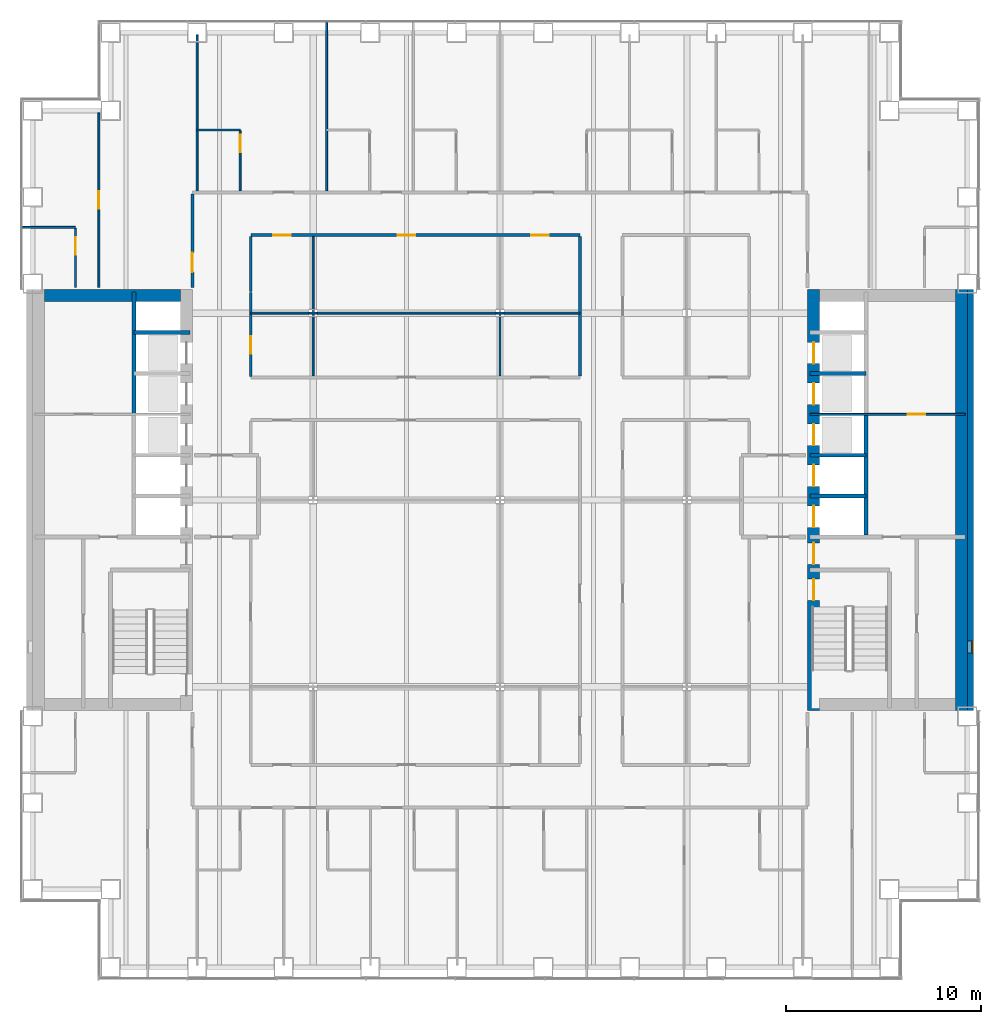
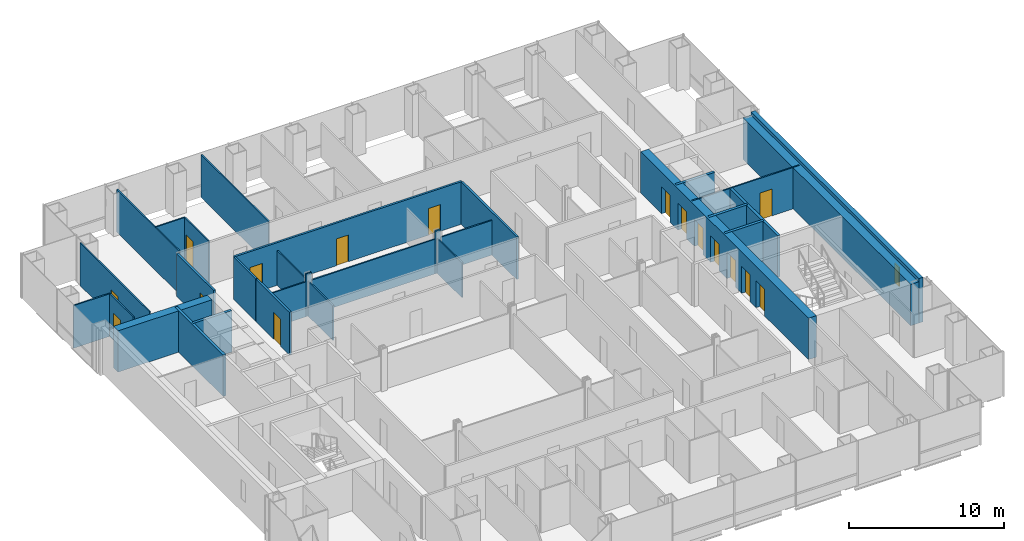
# One storey, part 19 of 23: 31 walls, 16 doors, 1 window, 17 openings.
"""IFC4 building model written with IfcOpenShell, lengths in metres."""

from ifc_helpers import new_model, si_unit, direction, frame, frame_2d, origin, place, context, subcontext, project, spatial, rectangle, extrude, material, layer, layer_set, type_object, element, fill, save


model = new_model("IFC4")

# Units and contexts
model_context = context("Model", 3, precision=1e-05, world=origin(), true_north=direction((0.0, 1.0)))
body_context = subcontext(model_context, "Body", "Model", "MODEL_VIEW")
ifc_project = project(units=[si_unit("LENGTHUNIT", "METRE"), si_unit("AREAUNIT", "SQUARE_METRE"), si_unit("VOLUMEUNIT", "CUBIC_METRE"), si_unit("PLANEANGLEUNIT", "RADIAN"), si_unit("MASSUNIT", "GRAM", prefix="KILO")], contexts=[model_context])

# Site, building, storey
site_placement = place(None, origin())
site = spatial("IfcSite", under=ifc_project, at=site_placement, CompositionType="ELEMENT")
building_placement = place(site_placement, origin())
building = spatial("IfcBuilding", under=site, at=building_placement, Name="Cobrizo Arcos Hotel Tower", CompositionType="ELEMENT")
storey_placement = place(building_placement, frame((0.0, 0.0, 49.5)))
storey = spatial("IfcBuildingStorey", under=building, at=storey_placement, Name="L10", CompositionType="ELEMENT", Elevation=49.5)

# Wall, openings, doors
ifc_material_1 = material(Name="Gypsum board partition")
ifc_layer_1 = layer(ifc_material_1, 0.14990234375)
ifc_layer_set_1 = layer_set([ifc_layer_1], Name="Corridor wall EI 60 150")
wall_type_1 = type_object("IfcWallType", Name="Corridor wall EI 60 150", PredefinedType="PARTITIONING", material=ifc_layer_set_1)
wall_1_placement = place(storey_placement, frame((-12.800048828125, 13.60009765625, 0.0), z_axis=(0.0, 0.0, 1.0), x_axis=(1.0, 0.0, 0.0)))
wall_1 = element("IfcWall", 1, at=wall_1_placement, inside=storey, type_object=wall_type_1, Name="Partition 054", PredefinedType="PARTITIONING", context=body_context, shape_type="SweptSolid", body=[
    extrude(rectangle(XDim=16.900146484375, YDim=0.14990234375, at=frame_2d((8.4501953125, 0.0))), origin(), (0.0, 0.0, 1.0), 3.35009765625),
])
opening_1_placement = place(wall_1_placement, frame((1.14990234375, 0.0, 0.0)))
opening_1 = element("IfcOpeningElement", 2, at=opening_1_placement, cuts=wall_1, Name="Opening RD-17", PredefinedType="OPENING", context=body_context, shape_type="SweptSolid", body=[
    extrude(rectangle(XDim=0.89990234375, YDim=2.10009765625, at=frame_2d((0.449951171875, 1.050048828125))), frame((0.0, 0.0869140625, 0.0), z_axis=(0.0, -1.0, 0.0), x_axis=(1.0, 0.0, 0.0)), (0.0, 0.0, 1.0), 0.173828125),
])
opening_2_placement = place(wall_1_placement, frame((14.39990234375, 0.0, 0.0)))
opening_2 = element("IfcOpeningElement", 3, at=opening_2_placement, cuts=wall_1, Name="Opening RD-21", PredefinedType="OPENING", context=body_context, shape_type="SweptSolid", body=[
    extrude(rectangle(XDim=0.89990234375, YDim=2.10009765625, at=frame_2d((0.449951171875, 1.050048828125))), frame((0.0, 0.0869140625, 0.0), z_axis=(0.0, -1.0, 0.0), x_axis=(1.0, 0.0, 0.0)), (0.0, 0.0, 1.0), 0.173828125),
])
opening_3_placement = place(wall_1_placement, frame((7.550048828125, 0.0, 0.0)))
opening_3 = element("IfcOpeningElement", 4, at=opening_3_placement, cuts=wall_1, Name="Opening RD-29", PredefinedType="OPENING", context=body_context, shape_type="SweptSolid", body=[
    extrude(rectangle(XDim=0.89990234375, YDim=2.10009765625, at=frame_2d((0.449951171875, 1.050048828125))), frame((0.0, 0.0869140625, 0.0), z_axis=(0.0, -1.0, 0.0), x_axis=(1.0, 0.0, 0.0)), (0.0, 0.0, 1.0), 0.173828125),
])
ifc_material_2 = material(Name="Timber door leaf", Category="wood")
door_type_1 = type_object("IfcDoorType", Name="Room door FD30 900x2100", OperationType="SINGLE_SWING_LEFT", PredefinedType="DOOR", material=ifc_material_2)
door_1_placement = place(opening_1_placement, origin())
door_1 = element("IfcDoor", 5, at=door_1_placement, inside=storey, type_object=door_type_1, Name="Door RD-17", OperationType="SINGLE_SWING_RIGHT", OverallHeight=2.10009765625, OverallWidth=0.89990234375, PredefinedType="DOOR", context=body_context, shape_type="SweptSolid", body=[
    extrude(rectangle(XDim=0.89990234375, YDim=2.10009765625, at=frame_2d((0.449951171875, 1.050048828125))), frame((0.0, 0.02490234375, 0.0), z_axis=(0.0, -1.0, 0.0), x_axis=(1.0, 0.0, 0.0)), (0.0, 0.0, 1.0), 0.050048828125),
])
fill(opening_1, door_1)
door_2_placement = place(opening_2_placement, origin())
door_2 = element("IfcDoor", 6, at=door_2_placement, inside=storey, type_object=door_type_1, Name="Door RD-21", OperationType="SINGLE_SWING_RIGHT", OverallHeight=2.10009765625, OverallWidth=0.89990234375, PredefinedType="DOOR", context=body_context, shape_type="SweptSolid", body=[
    extrude(rectangle(XDim=0.89990234375, YDim=2.10009765625, at=frame_2d((0.449951171875, 1.050048828125))), frame((0.0, 0.02490234375, 0.0), z_axis=(0.0, -1.0, 0.0), x_axis=(1.0, 0.0, 0.0)), (0.0, 0.0, 1.0), 0.050048828125),
])
fill(opening_2, door_2)
door_3_placement = place(opening_3_placement, origin())
door_3 = element("IfcDoor", 7, at=door_3_placement, inside=storey, type_object=door_type_1, Name="Door RD-29", OperationType="SINGLE_SWING_RIGHT", OverallHeight=2.10009765625, OverallWidth=0.89990234375, PredefinedType="DOOR", context=body_context, shape_type="SweptSolid", body=[
    extrude(rectangle(XDim=0.89990234375, YDim=2.10009765625, at=frame_2d((0.449951171875, 1.050048828125))), frame((0.0, 0.02490234375, 0.0), z_axis=(0.0, -1.0, 0.0), x_axis=(1.0, 0.0, 0.0)), (0.0, 0.0, 1.0), 0.050048828125),
])
fill(opening_3, door_3)

# Wall, opening, door
wall_2_placement = place(storey_placement, frame((-15.800048828125, 10.919921875, 0.0), z_axis=(0.0, 0.0, 1.0), x_axis=(0.0, 1.0, 0.0)))
wall_2 = element("IfcWall", 8, at=wall_2_placement, inside=storey, type_object=wall_type_1, Name="Partition 073", PredefinedType="PARTITIONING", context=body_context, shape_type="SweptSolid", body=[
    extrude(rectangle(XDim=4.80517578125, YDim=0.14990234375, at=frame_2d((2.402587890625, 0.0))), origin(), (0.0, 0.0, 1.0), 3.35009765625),
])
opening_4_placement = place(wall_2_placement, frame((0.780029296875, 0.0, 0.0)))
opening_4 = element("IfcOpeningElement", 9, at=opening_4_placement, cuts=wall_2, Name="Opening GD-13", PredefinedType="OPENING", context=body_context, shape_type="SweptSolid", body=[
    extrude(rectangle(XDim=1.0, YDim=2.10009765625, at=frame_2d((0.5, 1.050048828125))), frame((0.0, 0.0869140625, 0.0), z_axis=(0.0, -1.0, 0.0), x_axis=(1.0, 0.0, 0.0)), (0.0, 0.0, 1.0), 0.173828125),
])
door_type_2 = type_object("IfcDoorType", Name="Guest room door FD30S 1000x2100", OperationType="SINGLE_SWING_LEFT", PredefinedType="DOOR", material=ifc_material_2)
door_4_placement = place(opening_4_placement, origin())
door_4 = element("IfcDoor", 10, at=door_4_placement, inside=storey, type_object=door_type_2, Name="Door GD-13", OperationType="SINGLE_SWING_LEFT", OverallHeight=2.10009765625, OverallWidth=1.0, PredefinedType="DOOR", context=body_context, shape_type="SweptSolid", body=[
    extrude(rectangle(XDim=1.0, YDim=2.10009765625, at=frame_2d((0.5, 1.050048828125))), frame((0.0, 0.02490234375, 0.0), z_axis=(0.0, -1.0, 0.0), x_axis=(1.0, 0.0, 0.0)), (0.0, 0.0, 1.0), 0.050048828125),
])
fill(opening_4, door_4)

wall_3_placement = place(storey_placement, frame((-12.800048828125, 6.35009765625, 0.0), z_axis=(0.0, 0.0, 1.0), x_axis=(0.0, 1.0, 0.0)))
wall_3 = element("IfcWall", 11, at=wall_3_placement, inside=storey, type_object=wall_type_1, Name="Partition 080", PredefinedType="PARTITIONING", context=body_context, shape_type="SweptSolid", body=[
    extrude(rectangle(XDim=4.2998046875, YDim=0.14990234375, at=frame_2d((2.14990234375, 0.0))), origin(), (0.0, 0.0, 1.0), 3.35009765625),
])
opening_5_placement = place(wall_3_placement, frame((1.14990234375, 0.0, 0.0)))
opening_5 = element("IfcOpeningElement", 12, at=opening_5_placement, cuts=wall_3, Name="Opening RD-12", PredefinedType="OPENING", context=body_context, shape_type="SweptSolid", body=[
    extrude(rectangle(XDim=0.89990234375, YDim=2.10009765625, at=frame_2d((0.449951171875, 1.050048828125))), frame((0.0, 0.0869140625, 0.0), z_axis=(0.0, -1.0, 0.0), x_axis=(1.0, 0.0, 0.0)), (0.0, 0.0, 1.0), 0.173828125),
])
door_5_placement = place(opening_5_placement, origin())
door_5 = element("IfcDoor", 13, at=door_5_placement, inside=storey, type_object=door_type_1, Name="Door RD-12", OperationType="SINGLE_SWING_RIGHT", OverallHeight=2.10009765625, OverallWidth=0.89990234375, PredefinedType="DOOR", context=body_context, shape_type="SweptSolid", body=[
    extrude(rectangle(XDim=0.89990234375, YDim=2.10009765625, at=frame_2d((0.449951171875, 1.050048828125))), frame((0.0, 0.02490234375, 0.0), z_axis=(0.0, -1.0, 0.0), x_axis=(1.0, 0.0, 0.0)), (0.0, 0.0, 1.0), 0.050048828125),
])
fill(opening_5, door_5)

# Walls
wall_4_placement = place(storey_placement, frame((-12.800048828125, 10.699951171875, 0.0), z_axis=(0.0, 0.0, 1.0), x_axis=(0.0, 1.0, 0.0)))
element("IfcWall", 14, at=wall_4_placement, inside=storey, type_object=wall_type_1, Name="Partition 081", PredefinedType="PARTITIONING", context=body_context, shape_type="SweptSolid", body=[
    extrude(rectangle(XDim=2.824951171875, YDim=0.14990234375, at=frame_2d((1.41259765625, 0.0))), origin(), (0.0, 0.0, 1.0), 3.35009765625),
])
wall_5_placement = place(storey_placement, frame((4.10009765625, 6.375, 0.0), z_axis=(0.0, 0.0, 1.0), x_axis=(0.0, 1.0, 0.0)))
element("IfcWall", 15, at=wall_5_placement, inside=storey, type_object=wall_type_1, Name="Partition 105", PredefinedType="PARTITIONING", context=body_context, shape_type="SweptSolid", body=[
    extrude(rectangle(XDim=7.14990234375, YDim=0.14990234375, at=frame_2d((3.574951171875, 0.0))), origin(), (0.0, 0.0, 1.0), 3.35009765625),
])

# Wall, opening, window
ifc_material_3 = material(Name="Aluminium composite panel pale metal", Category="aluminium")
ifc_layer_2 = layer(ifc_material_3, 0.324951171875)
ifc_layer_set_2 = layer_set([ifc_layer_2], Name="EW-1 insulated panel wall 325")
wall_type_2 = type_object("IfcWallType", Name="EW-1 insulated panel wall 325", PredefinedType="SOLIDWALL", material=ifc_layer_set_2)
wall_6_placement = place(storey_placement, frame((24.16259765625, -10.800048828125, 0.0), z_axis=(0.0, 0.0, 1.0), x_axis=(0.0, 1.0, 0.0)))
wall_6 = element("IfcWall", 16, at=wall_6_placement, inside=storey, type_object=wall_type_2, Name="Core face wall L10 E", PredefinedType="SOLIDWALL", context=body_context, shape_type="SweptSolid", body=[
    extrude(rectangle(XDim=21.60009765625, YDim=0.324951171875, at=frame_2d((10.800048828125, 0.0))), origin(), (0.0, 0.0, 1.0), 3.5),
])
opening_6_placement = place(wall_6_placement, frame((2.949951171875, 0.0, 1.0)))
opening_6 = element("IfcOpeningElement", 17, at=opening_6_placement, cuts=wall_6, Name="Opening W-15", PredefinedType="OPENING", context=body_context, shape_type="SweptSolid", body=[
    extrude(rectangle(XDim=0.60009765625, YDim=1.5, at=frame_2d((0.300048828125, 0.75))), frame((0.0, 0.174560546875, 0.0), z_axis=(0.0, -1.0, 0.0), x_axis=(1.0, 0.0, 0.0)), (0.0, 0.0, 1.0), 0.348876953125),
])
ifc_material_4 = material(Name="Aluminium 6063-T6 and clear laminated glass", Category="aluminium")
window_type = type_object("IfcWindowType", Name="W-C1 core stair slot window 600x1500", PartitioningType="SINGLE_PANEL", PredefinedType="WINDOW", material=ifc_material_4)
window_placement = place(opening_6_placement, origin())
window = element("IfcWindow", 18, at=window_placement, inside=storey, type_object=window_type, Name="Core face wall L10 E window W-15", OverallHeight=1.5, OverallWidth=0.60009765625, PartitioningType="SINGLE_PANEL", PredefinedType="WINDOW", context=body_context, shape_type="SweptSolid", body=[
    extrude(rectangle(XDim=0.60009765625, YDim=1.5, at=frame_2d((0.300048828125, 0.75))), frame((0.0, -0.072509765625, 0.0), z_axis=(0.0, -1.0, 0.0), x_axis=(1.0, 0.0, 0.0)), (0.0, 0.0, 1.0), 0.06005859375),
])
fill(opening_6, window)

# Wall, opening, door
ifc_layer_3 = layer(ifc_material_1, 0.10009765625)
ifc_layer_set_3 = layer_set([ifc_layer_3], Name="Partition EI 30 100")
wall_type_3 = type_object("IfcWallType", Name="Partition EI 30 100", PredefinedType="PARTITIONING", material=ifc_layer_set_3)
wall_7_placement = place(storey_placement, frame((15.919921875, 4.39990234375, 0.0), z_axis=(0.0, 0.0, 1.0), x_axis=(1.0, 0.0, 0.0)))
wall_7 = element("IfcWall", 19, at=wall_7_placement, inside=storey, type_object=wall_type_3, Name="Partition 042", PredefinedType="PARTITIONING", context=body_context, shape_type="SweptSolid", body=[
    extrude(rectangle(XDim=7.9599609375, YDim=0.10009765625, at=frame_2d((3.97998046875, 0.0))), origin(), (0.0, 0.0, 1.0), 3.25),
])
opening_7_placement = place(wall_7_placement, frame((5.030029296875, 0.0, 0.0)))
opening_7 = element("IfcOpeningElement", 20, at=opening_7_placement, cuts=wall_7, Name="Opening RD-06", PredefinedType="OPENING", context=body_context, shape_type="SweptSolid", body=[
    extrude(rectangle(XDim=0.89990234375, YDim=2.10009765625, at=frame_2d((0.449951171875, 1.050048828125))), frame((0.0, 0.06201171875, 0.0), z_axis=(0.0, -1.0, 0.0), x_axis=(1.0, 0.0, 0.0)), (0.0, 0.0, 1.0), 0.1240234375),
])
door_6_placement = place(opening_7_placement, origin())
door_6 = element("IfcDoor", 21, at=door_6_placement, inside=storey, type_object=door_type_1, Name="Door RD-06", OperationType="SINGLE_SWING_RIGHT", OverallHeight=2.10009765625, OverallWidth=0.89990234375, PredefinedType="DOOR", context=body_context, shape_type="SweptSolid", body=[
    extrude(rectangle(XDim=0.89990234375, YDim=2.10009765625, at=frame_2d((0.449951171875, 1.050048828125))), frame((0.0, 0.02490234375, 0.0), z_axis=(0.0, -1.0, 0.0), x_axis=(1.0, 0.0, 0.0)), (0.0, 0.0, 1.0), 0.050048828125),
])
fill(opening_7, door_6)

# Walls
wall_8_placement = place(storey_placement, frame((-12.800048828125, 9.60009765625, 0.0), z_axis=(0.0, 0.0, 1.0), x_axis=(1.0, 0.0, 0.0)))
element("IfcWall", 22, at=wall_8_placement, inside=storey, type_object=wall_type_3, Name="Partition 049", PredefinedType="PARTITIONING", context=body_context, shape_type="SweptSolid", body=[
    extrude(rectangle(XDim=2.99609375, YDim=0.10009765625, at=frame_2d((1.498046875, 0.0))), origin(), (0.0, 0.0, 1.0), 2.72802734375),
])
wall_9_placement = place(storey_placement, frame((-9.803955078125, 9.60009765625, 0.0), z_axis=(0.0, 0.0, 1.0), x_axis=(1.0, 0.0, 0.0)))
element("IfcWall", 23, at=wall_9_placement, inside=storey, type_object=wall_type_3, Name="Partition 050", PredefinedType="PARTITIONING", context=body_context, shape_type="SweptSolid", body=[
    extrude(rectangle(XDim=0.407958984375, YDim=0.10009765625, at=frame_2d((0.2041015625, 0.0))), origin(), (0.0, 0.0, 1.0), 3.35009765625),
])
wall_10_placement = place(storey_placement, frame((-9.39599609375, 9.60009765625, 0.0), z_axis=(0.0, 0.0, 1.0), x_axis=(1.0, 0.0, 0.0)))
element("IfcWall", 24, at=wall_10_placement, inside=storey, type_object=wall_type_3, Name="Partition 051", PredefinedType="PARTITIONING", context=body_context, shape_type="SweptSolid", body=[
    extrude(rectangle(XDim=9.19189453125, YDim=0.10009765625, at=frame_2d((4.595947265625, 0.0))), origin(), (0.0, 0.0, 1.0), 2.72802734375),
])
wall_11_placement = place(storey_placement, frame((-0.2041015625, 9.60009765625, 0.0), z_axis=(0.0, 0.0, 1.0), x_axis=(1.0, 0.0, 0.0)))
element("IfcWall", 25, at=wall_11_placement, inside=storey, type_object=wall_type_3, Name="Partition 052", PredefinedType="PARTITIONING", context=body_context, shape_type="SweptSolid", body=[
    extrude(rectangle(XDim=0.408203125, YDim=0.10009765625, at=frame_2d((0.2041015625, 0.0))), origin(), (0.0, 0.0, 1.0), 3.35009765625),
])
wall_12_placement = place(storey_placement, frame((0.2041015625, 9.60009765625, 0.0), z_axis=(0.0, 0.0, 1.0), x_axis=(1.0, 0.0, 0.0)))
element("IfcWall", 26, at=wall_12_placement, inside=storey, type_object=wall_type_3, Name="Partition 053", PredefinedType="PARTITIONING", context=body_context, shape_type="SweptSolid", body=[
    extrude(rectangle(XDim=3.89599609375, YDim=0.10009765625, at=frame_2d((1.947998046875, 0.0))), origin(), (0.0, 0.0, 1.0), 2.72802734375),
])
wall_13_placement = place(storey_placement, frame((-24.530029296875, 14.0, 0.0), z_axis=(0.0, 0.0, 1.0), x_axis=(1.0, 0.0, 0.0)))
element("IfcWall", 27, at=wall_13_placement, inside=storey, type_object=wall_type_3, Name="Partition 056", PredefinedType="PARTITIONING", context=body_context, shape_type="SweptSolid", body=[
    extrude(rectangle(XDim=2.72998046875, YDim=0.10009765625, at=frame_2d((1.364990234375, 0.0))), origin(), (0.0, 0.0, 1.0), 3.35009765625),
])
wall_14_placement = place(storey_placement, frame((-15.550048828125, 19.0, 0.0), z_axis=(0.0, 0.0, 1.0), x_axis=(1.0, 0.0, 0.0)))
element("IfcWall", 28, at=wall_14_placement, inside=storey, type_object=wall_type_3, Name="Partition 059", PredefinedType="PARTITIONING", context=body_context, shape_type="SweptSolid", body=[
    extrude(rectangle(XDim=2.199951171875, YDim=0.10009765625, at=frame_2d((1.10009765625, 0.0))), origin(), (0.0, 0.0, 1.0), 3.35009765625),
])

# Wall, opening, door
wall_15_placement = place(storey_placement, frame((-21.800048828125, 10.919921875, 0.0), z_axis=(0.0, 0.0, 1.0), x_axis=(0.0, 1.0, 0.0)))
wall_15 = element("IfcWall", 29, at=wall_15_placement, inside=storey, type_object=wall_type_3, Name="Partition 065", PredefinedType="PARTITIONING", context=body_context, shape_type="SweptSolid", body=[
    extrude(rectangle(XDim=3.030029296875, YDim=0.10009765625, at=frame_2d((1.51513671875, 0.0))), origin(), (0.0, 0.0, 1.0), 3.35009765625),
])
opening_8_placement = place(wall_15_placement, frame((1.669921875, 0.0, 0.0)))
opening_8 = element("IfcOpeningElement", 30, at=opening_8_placement, cuts=wall_15, Name="Opening ED-13", PredefinedType="OPENING", context=body_context, shape_type="SweptSolid", body=[
    extrude(rectangle(XDim=0.89990234375, YDim=2.10009765625, at=frame_2d((0.449951171875, 1.050048828125))), frame((0.0, 0.06201171875, 0.0), z_axis=(0.0, -1.0, 0.0), x_axis=(1.0, 0.0, 0.0)), (0.0, 0.0, 1.0), 0.1240234375),
])
door_type_3 = type_object("IfcDoorType", Name="En-suite door 900x2100", OperationType="SINGLE_SWING_LEFT", PredefinedType="DOOR", material=ifc_material_2)
door_7_placement = place(opening_8_placement, origin())
door_7 = element("IfcDoor", 31, at=door_7_placement, inside=storey, type_object=door_type_3, Name="Door ED-13", OperationType="SINGLE_SWING_RIGHT", OverallHeight=2.10009765625, OverallWidth=0.89990234375, PredefinedType="DOOR", context=body_context, shape_type="SweptSolid", body=[
    extrude(rectangle(XDim=0.89990234375, YDim=2.10009765625, at=frame_2d((0.449951171875, 1.050048828125))), frame((0.0, 0.02490234375, 0.0), z_axis=(0.0, -1.0, 0.0), x_axis=(1.0, 0.0, 0.0)), (0.0, 0.0, 1.0), 0.050048828125),
])
fill(opening_8, door_7)

wall_16_placement = place(storey_placement, frame((-20.60009765625, 10.919921875, 0.0), z_axis=(0.0, 0.0, 1.0), x_axis=(0.0, 1.0, 0.0)))
wall_16 = element("IfcWall", 32, at=wall_16_placement, inside=storey, type_object=wall_type_3, Name="Partition 067", PredefinedType="PARTITIONING", context=body_context, shape_type="SweptSolid", body=[
    extrude(rectangle(XDim=8.9599609375, YDim=0.10009765625, at=frame_2d((4.47998046875, 0.0))), origin(), (0.0, 0.0, 1.0), 3.35009765625),
])
opening_9_placement = place(wall_16_placement, frame((4.030029296875, 0.0, 0.0)))
opening_9 = element("IfcOpeningElement", 33, at=opening_9_placement, cuts=wall_16, Name="Opening RD-09", PredefinedType="OPENING", context=body_context, shape_type="SweptSolid", body=[
    extrude(rectangle(XDim=0.89990234375, YDim=2.10009765625, at=frame_2d((0.449951171875, 1.050048828125))), frame((0.0, 0.06201171875, 0.0), z_axis=(0.0, -1.0, 0.0), x_axis=(1.0, 0.0, 0.0)), (0.0, 0.0, 1.0), 0.1240234375),
])
door_8_placement = place(opening_9_placement, origin())
door_8 = element("IfcDoor", 34, at=door_8_placement, inside=storey, type_object=door_type_1, Name="Door RD-09", OperationType="SINGLE_SWING_RIGHT", OverallHeight=2.10009765625, OverallWidth=0.89990234375, PredefinedType="DOOR", context=body_context, shape_type="SweptSolid", body=[
    extrude(rectangle(XDim=0.89990234375, YDim=2.10009765625, at=frame_2d((0.449951171875, 1.050048828125))), frame((0.0, 0.02490234375, 0.0), z_axis=(0.0, -1.0, 0.0), x_axis=(1.0, 0.0, 0.0)), (0.0, 0.0, 1.0), 0.050048828125),
])
fill(opening_9, door_8)

# Wall
wall_17_placement = place(storey_placement, frame((-15.550048828125, 15.875, 0.0), z_axis=(0.0, 0.0, 1.0), x_axis=(0.0, 1.0, 0.0)))
element("IfcWall", 35, at=wall_17_placement, inside=storey, type_object=wall_type_3, Name="Partition 075", PredefinedType="PARTITIONING", context=body_context, shape_type="SweptSolid", body=[
    extrude(rectangle(XDim=8.0048828125, YDim=0.10009765625, at=frame_2d((4.00244140625, 0.0))), origin(), (0.0, 0.0, 1.0), 3.35009765625),
])

# Wall, opening, door
wall_18_placement = place(storey_placement, frame((-13.35009765625, 15.875, 0.0), z_axis=(0.0, 0.0, 1.0), x_axis=(0.0, 1.0, 0.0)))
wall_18 = element("IfcWall", 36, at=wall_18_placement, inside=storey, type_object=wall_type_3, Name="Partition 077", PredefinedType="PARTITIONING", context=body_context, shape_type="SweptSolid", body=[
    extrude(rectangle(XDim=3.074951171875, YDim=0.10009765625, at=frame_2d((1.53759765625, 0.0))), origin(), (0.0, 0.0, 1.0), 3.35009765625),
])
opening_10_placement = place(wall_18_placement, frame((1.970947265625, 0.0, 0.0)))
opening_10 = element("IfcOpeningElement", 37, at=opening_10_placement, cuts=wall_18, Name="Opening ED-01", PredefinedType="OPENING", context=body_context, shape_type="SweptSolid", body=[
    extrude(rectangle(XDim=0.89990234375, YDim=2.10009765625, at=frame_2d((0.449951171875, 1.050048828125))), frame((0.0, 0.06201171875, 0.0), z_axis=(0.0, -1.0, 0.0), x_axis=(1.0, 0.0, 0.0)), (0.0, 0.0, 1.0), 0.1240234375),
])
door_9_placement = place(opening_10_placement, origin())
door_9 = element("IfcDoor", 38, at=door_9_placement, inside=storey, type_object=door_type_3, Name="Door ED-01", OperationType="SINGLE_SWING_RIGHT", OverallHeight=2.10009765625, OverallWidth=0.89990234375, PredefinedType="DOOR", context=body_context, shape_type="SweptSolid", body=[
    extrude(rectangle(XDim=0.89990234375, YDim=2.10009765625, at=frame_2d((0.449951171875, 1.050048828125))), frame((0.0, 0.02490234375, 0.0), z_axis=(0.0, -1.0, 0.0), x_axis=(1.0, 0.0, 0.0)), (0.0, 0.0, 1.0), 0.050048828125),
])
fill(opening_10, door_9)

# Walls
wall_19_placement = place(storey_placement, frame((-9.60009765625, 6.375, 0.0), z_axis=(0.0, 0.0, 1.0), x_axis=(0.0, 1.0, 0.0)))
element("IfcWall", 39, at=wall_19_placement, inside=storey, type_object=wall_type_3, Name="Partition 086", PredefinedType="PARTITIONING", context=body_context, shape_type="SweptSolid", body=[
    extrude(rectangle(XDim=3.175048828125, YDim=0.10009765625, at=frame_2d((1.58740234375, 0.0))), origin(), (0.0, 0.0, 1.0), 2.72802734375),
])
wall_20_placement = place(storey_placement, frame((-9.60009765625, 9.64990234375, 0.0), z_axis=(0.0, 0.0, 1.0), x_axis=(0.0, 1.0, 0.0)))
element("IfcWall", 40, at=wall_20_placement, inside=storey, type_object=wall_type_3, Name="Partition 087", PredefinedType="PARTITIONING", context=body_context, shape_type="SweptSolid", body=[
    extrude(rectangle(XDim=3.875, YDim=0.10009765625, at=frame_2d((1.9375, 0.0))), origin(), (0.0, 0.0, 1.0), 2.72802734375),
])
wall_21_placement = place(storey_placement, frame((-8.89990234375, 15.875, 0.0), z_axis=(0.0, 0.0, 1.0), x_axis=(0.0, 1.0, 0.0)))
element("IfcWall", 41, at=wall_21_placement, inside=storey, type_object=wall_type_3, Name="Partition 088", PredefinedType="PARTITIONING", context=body_context, shape_type="SweptSolid", body=[
    extrude(rectangle(XDim=8.655029296875, YDim=0.10009765625, at=frame_2d((4.32763671875, 0.0))), origin(), (0.0, 0.0, 1.0), 3.35009765625),
])
wall_22_placement = place(storey_placement, frame((0.0, 6.375, 0.0), z_axis=(0.0, 0.0, 1.0), x_axis=(0.0, 1.0, 0.0)))
element("IfcWall", 42, at=wall_22_placement, inside=storey, type_object=wall_type_3, Name="Partition 099", PredefinedType="PARTITIONING", context=body_context, shape_type="SweptSolid", body=[
    extrude(rectangle(XDim=3.175048828125, YDim=0.10009765625, at=frame_2d((1.58740234375, 0.0))), origin(), (0.0, 0.0, 1.0), 2.72802734375),
])

# Wall, openings, doors
ifc_material_5 = material(Name="Concrete f'c 60 MPa", Category="concrete")
ifc_layer_4 = layer(ifc_material_5, 0.60009765625)
ifc_layer_set_4 = layer_set([ifc_layer_4], Name="RC core wall 600 f'c 60")
wall_type_4 = type_object("IfcWallType", Name="RC core wall 600 f'c 60", PredefinedType="SHEAR", material=ifc_layer_set_4)
wall_23_placement = place(storey_placement, frame((16.10009765625, -10.800048828125, 0.0), z_axis=(0.0, 0.0, 1.0), x_axis=(0.0, 1.0, 0.0)))
wall_23 = element("IfcWall", 43, at=wall_23_placement, inside=storey, type_object=wall_type_4, Name="Core wall CW1, east core, inner face, L10", PredefinedType="SHEAR", context=body_context, shape_type="SweptSolid", body=[
    extrude(rectangle(XDim=21.60009765625, YDim=0.60009765625, at=frame_2d((10.800048828125, 0.0))), origin(), (0.0, 0.0, 1.0), 3.25),
])
opening_11_placement = place(wall_23_placement, frame((9.39990234375, 0.0, 0.0)))
opening_11 = element("IfcOpeningElement", 44, at=opening_11_placement, cuts=wall_23, Name="Opening LD-06", PredefinedType="OPENING", context=body_context, shape_type="SweptSolid", body=[
    extrude(rectangle(XDim=1.10009765625, YDim=2.10009765625, at=frame_2d((0.550048828125, 1.050048828125))), frame((0.0, 0.31201171875, 0.0), z_axis=(0.0, -1.0, 0.0), x_axis=(1.0, 0.0, 0.0)), (0.0, 0.0, 1.0), 0.6240234375),
])
opening_12_placement = place(wall_23_placement, frame((11.5, 0.0, 0.0)))
opening_12 = element("IfcOpeningElement", 45, at=opening_12_placement, cuts=wall_23, Name="Opening LD-07", PredefinedType="OPENING", context=body_context, shape_type="SweptSolid", body=[
    extrude(rectangle(XDim=1.10009765625, YDim=2.10009765625, at=frame_2d((0.550048828125, 1.050048828125))), frame((0.0, 0.31201171875, 0.0), z_axis=(0.0, -1.0, 0.0), x_axis=(1.0, 0.0, 0.0)), (0.0, 0.0, 1.0), 0.6240234375),
])
opening_13_placement = place(wall_23_placement, frame((13.60009765625, 0.0, 0.0)))
opening_13 = element("IfcOpeningElement", 46, at=opening_13_placement, cuts=wall_23, Name="Opening LD-08", PredefinedType="OPENING", context=body_context, shape_type="SweptSolid", body=[
    extrude(rectangle(XDim=1.10009765625, YDim=2.10009765625, at=frame_2d((0.550048828125, 1.050048828125))), frame((0.0, 0.31201171875, 0.0), z_axis=(0.0, -1.0, 0.0), x_axis=(1.0, 0.0, 0.0)), (0.0, 0.0, 1.0), 0.6240234375),
])
opening_14_placement = place(wall_23_placement, frame((15.699951171875, 0.0, 0.0)))
opening_14 = element("IfcOpeningElement", 47, at=opening_14_placement, cuts=wall_23, Name="Opening LD-09", PredefinedType="OPENING", context=body_context, shape_type="SweptSolid", body=[
    extrude(rectangle(XDim=1.10009765625, YDim=2.10009765625, at=frame_2d((0.550048828125, 1.050048828125))), frame((0.0, 0.31201171875, 0.0), z_axis=(0.0, -1.0, 0.0), x_axis=(1.0, 0.0, 0.0)), (0.0, 0.0, 1.0), 0.6240234375),
])
opening_15_placement = place(wall_23_placement, frame((17.800048828125, 0.0, 0.0)))
opening_15 = element("IfcOpeningElement", 48, at=opening_15_placement, cuts=wall_23, Name="Opening LD-10", PredefinedType="OPENING", context=body_context, shape_type="SweptSolid", body=[
    extrude(rectangle(XDim=1.10009765625, YDim=2.10009765625, at=frame_2d((0.550048828125, 1.050048828125))), frame((0.0, 0.31201171875, 0.0), z_axis=(0.0, -1.0, 0.0), x_axis=(1.0, 0.0, 0.0)), (0.0, 0.0, 1.0), 0.6240234375),
])
opening_16_placement = place(wall_23_placement, frame((5.64208984375, 0.0, 0.0)))
opening_16 = element("IfcOpeningElement", 49, at=opening_16_placement, cuts=wall_23, Name="Opening SD-02", PredefinedType="OPENING", context=body_context, shape_type="SweptSolid", body=[
    extrude(rectangle(XDim=1.10009765625, YDim=2.10009765625, at=frame_2d((0.550048828125, 1.050048828125))), frame((0.0, 0.31201171875, 0.0), z_axis=(0.0, -1.0, 0.0), x_axis=(1.0, 0.0, 0.0)), (0.0, 0.0, 1.0), 0.6240234375),
])
opening_17_placement = place(wall_23_placement, frame((7.5, 0.0, 0.0)))
opening_17 = element("IfcOpeningElement", 50, at=opening_17_placement, cuts=wall_23, Name="Opening FD-04", PredefinedType="OPENING", context=body_context, shape_type="SweptSolid", body=[
    extrude(rectangle(XDim=1.10009765625, YDim=2.10009765625, at=frame_2d((0.550048828125, 1.050048828125))), frame((0.0, 0.31201171875, 0.0), z_axis=(0.0, -1.0, 0.0), x_axis=(1.0, 0.0, 0.0)), (0.0, 0.0, 1.0), 0.6240234375),
])
ifc_material_6 = material(Name="Steel door leaf", Category="steel")
door_type_4 = type_object("IfcDoorType", Name="Fire door FD60 1100x2100", OperationType="SINGLE_SWING_LEFT", PredefinedType="DOOR", material=ifc_material_6)
door_10_placement = place(opening_17_placement, origin())
door_10 = element("IfcDoor", 51, at=door_10_placement, inside=storey, type_object=door_type_4, Name="Door FD-04", OperationType="SINGLE_SWING_LEFT", OverallHeight=2.10009765625, OverallWidth=1.10009765625, PredefinedType="DOOR", context=body_context, shape_type="SweptSolid", body=[
    extrude(rectangle(XDim=1.10009765625, YDim=2.10009765625, at=frame_2d((0.550048828125, 1.050048828125))), frame((0.0, 0.02490234375, 0.0), z_axis=(0.0, -1.0, 0.0), x_axis=(1.0, 0.0, 0.0)), (0.0, 0.0, 1.0), 0.050048828125),
])
fill(opening_17, door_10)
door_type_5 = type_object("IfcDoorType", Name="Lift landing door 1100x2100", OperationType="SLIDING_TO_LEFT", PredefinedType="DOOR", material=ifc_material_6)
door_11_placement = place(opening_11_placement, origin())
door_11 = element("IfcDoor", 52, at=door_11_placement, inside=storey, type_object=door_type_5, Name="Lift landing door LD-06", OperationType="SLIDING_TO_LEFT", OverallHeight=2.10009765625, OverallWidth=1.10009765625, PredefinedType="DOOR", context=body_context, shape_type="SweptSolid", body=[
    extrude(rectangle(XDim=1.10009765625, YDim=2.10009765625, at=frame_2d((0.550048828125, 1.050048828125))), frame((0.0, 0.02490234375, 0.0), z_axis=(0.0, -1.0, 0.0), x_axis=(1.0, 0.0, 0.0)), (0.0, 0.0, 1.0), 0.050048828125),
])
fill(opening_11, door_11)
door_12_placement = place(opening_12_placement, origin())
door_12 = element("IfcDoor", 53, at=door_12_placement, inside=storey, type_object=door_type_5, Name="Lift landing door LD-07", OperationType="SLIDING_TO_LEFT", OverallHeight=2.10009765625, OverallWidth=1.10009765625, PredefinedType="DOOR", context=body_context, shape_type="SweptSolid", body=[
    extrude(rectangle(XDim=1.10009765625, YDim=2.10009765625, at=frame_2d((0.550048828125, 1.050048828125))), frame((0.0, 0.02490234375, 0.0), z_axis=(0.0, -1.0, 0.0), x_axis=(1.0, 0.0, 0.0)), (0.0, 0.0, 1.0), 0.050048828125),
])
fill(opening_12, door_12)
door_13_placement = place(opening_13_placement, origin())
door_13 = element("IfcDoor", 54, at=door_13_placement, inside=storey, type_object=door_type_5, Name="Lift landing door LD-08", OperationType="SLIDING_TO_LEFT", OverallHeight=2.10009765625, OverallWidth=1.10009765625, PredefinedType="DOOR", context=body_context, shape_type="SweptSolid", body=[
    extrude(rectangle(XDim=1.10009765625, YDim=2.10009765625, at=frame_2d((0.550048828125, 1.050048828125))), frame((0.0, 0.02490234375, 0.0), z_axis=(0.0, -1.0, 0.0), x_axis=(1.0, 0.0, 0.0)), (0.0, 0.0, 1.0), 0.050048828125),
])
fill(opening_13, door_13)
door_14_placement = place(opening_14_placement, origin())
door_14 = element("IfcDoor", 55, at=door_14_placement, inside=storey, type_object=door_type_5, Name="Lift landing door LD-09", OperationType="SLIDING_TO_LEFT", OverallHeight=2.10009765625, OverallWidth=1.10009765625, PredefinedType="DOOR", context=body_context, shape_type="SweptSolid", body=[
    extrude(rectangle(XDim=1.10009765625, YDim=2.10009765625, at=frame_2d((0.550048828125, 1.050048828125))), frame((0.0, 0.02490234375, 0.0), z_axis=(0.0, -1.0, 0.0), x_axis=(1.0, 0.0, 0.0)), (0.0, 0.0, 1.0), 0.050048828125),
])
fill(opening_14, door_14)
door_15_placement = place(opening_15_placement, origin())
door_15 = element("IfcDoor", 56, at=door_15_placement, inside=storey, type_object=door_type_5, Name="Lift landing door LD-10", OperationType="SLIDING_TO_LEFT", OverallHeight=2.10009765625, OverallWidth=1.10009765625, PredefinedType="DOOR", context=body_context, shape_type="SweptSolid", body=[
    extrude(rectangle(XDim=1.10009765625, YDim=2.10009765625, at=frame_2d((0.550048828125, 1.050048828125))), frame((0.0, 0.02490234375, 0.0), z_axis=(0.0, -1.0, 0.0), x_axis=(1.0, 0.0, 0.0)), (0.0, 0.0, 1.0), 0.050048828125),
])
fill(opening_15, door_15)
door_type_6 = type_object("IfcDoorType", Name="Stair door FD60S 1100x2100", OperationType="SINGLE_SWING_LEFT", PredefinedType="DOOR", material=ifc_material_6)
door_16_placement = place(opening_16_placement, origin())
door_16 = element("IfcDoor", 57, at=door_16_placement, inside=storey, type_object=door_type_6, Name="Door SD-02", OperationType="SINGLE_SWING_RIGHT", OverallHeight=2.10009765625, OverallWidth=1.10009765625, PredefinedType="DOOR", context=body_context, shape_type="SweptSolid", body=[
    extrude(rectangle(XDim=1.10009765625, YDim=2.10009765625, at=frame_2d((0.550048828125, 1.050048828125))), frame((0.0, 0.02490234375, 0.0), z_axis=(0.0, -1.0, 0.0), x_axis=(1.0, 0.0, 0.0)), (0.0, 0.0, 1.0), 0.050048828125),
])
fill(opening_16, door_16)

# Walls
wall_24_placement = place(storey_placement, frame((23.699951171875, -10.800048828125, 0.0), z_axis=(0.0, 0.0, 1.0), x_axis=(0.0, 1.0, 0.0)))
element("IfcWall", 58, at=wall_24_placement, inside=storey, type_object=wall_type_4, Name="Core wall CW1, east core, outer face, L10", PredefinedType="SHEAR", context=body_context, shape_type="SweptSolid", body=[
    extrude(rectangle(XDim=21.60009765625, YDim=0.60009765625, at=frame_2d((10.800048828125, 0.0))), origin(), (0.0, 0.0, 1.0), 3.25),
])
wall_25_placement = place(storey_placement, frame((-23.39990234375, 10.5, 0.0), z_axis=(0.0, 0.0, 1.0), x_axis=(1.0, 0.0, 0.0)))
element("IfcWall", 59, at=wall_25_placement, inside=storey, type_object=wall_type_4, Name="Core wall CW1, west core, north end, L10", PredefinedType="SHEAR", context=body_context, shape_type="SweptSolid", body=[
    extrude(rectangle(XDim=7.0, YDim=0.60009765625, at=frame_2d((3.5, 0.0))), origin(), (0.0, 0.0, 1.0), 3.25),
])
ifc_layer_5 = layer(ifc_material_1, 0.199951171875)
ifc_layer_set_5 = layer_set([ifc_layer_5], Name="Shaft wall EI 120 200")
wall_type_5 = type_object("IfcWallType", Name="Shaft wall EI 120 200", PredefinedType="PARTITIONING", material=ifc_layer_set_5)
for number, where, z_axis, x_axis, name in (
    (60, (15.919921875, 0.199951171875, 0.0), (0.0, 0.0, 1.0), (1.0, 0.0, 0.0), "Partition 034"),
    (61, (15.919921875, 2.300048828125, 0.0), (0.0, 0.0, 1.0), (1.0, 0.0, 0.0), "Partition 038"),
    (62, (15.919921875, 6.5, 0.0), (0.0, 0.0, 1.0), (1.0, 0.0, 0.0), "Partition 046"),
    (63, (-18.800048828125, 8.60009765625, 0.0), (0.0, 0.0, 1.0), (1.0, 0.0, 0.0), "Partition 047"),
):
    element("IfcWall", number, at=place(storey_placement, frame(where, z_axis=z_axis, x_axis=x_axis)), inside=storey, type_object=wall_type_5, Name=name, PredefinedType="PARTITIONING", context=body_context, shape_type="SweptSolid", body=[
        extrude(rectangle(XDim=2.880126953125, YDim=0.199951171875, at=frame_2d((1.43994140625, 0.0))), origin(), (0.0, 0.0, 1.0), 3.25),
    ])
wall_26_placement = place(storey_placement, frame((-18.800048828125, 4.449951171875, 0.0), z_axis=(0.0, 0.0, 1.0), x_axis=(0.0, 1.0, 0.0)))
element("IfcWall", 64, at=wall_26_placement, inside=storey, type_object=wall_type_5, Name="Partition 070", PredefinedType="PARTITIONING", context=body_context, shape_type="SweptSolid", body=[
    extrude(rectangle(XDim=6.22998046875, YDim=0.199951171875, at=frame_2d((3.114990234375, 0.0))), origin(), (0.0, 0.0, 1.0), 3.25),
])
wall_27_placement = place(storey_placement, frame((18.800048828125, -1.800048828125, 0.0), z_axis=(0.0, 0.0, 1.0), x_axis=(0.0, 1.0, 0.0)))
element("IfcWall", 65, at=wall_27_placement, inside=storey, type_object=wall_type_5, Name="Partition 133", PredefinedType="PARTITIONING", context=body_context, shape_type="SweptSolid", body=[
    extrude(rectangle(XDim=6.150146484375, YDim=0.199951171875, at=frame_2d((3.0751953125, 0.0))), origin(), (0.0, 0.0, 1.0), 3.25),
])

save(model, "model.ifc")
